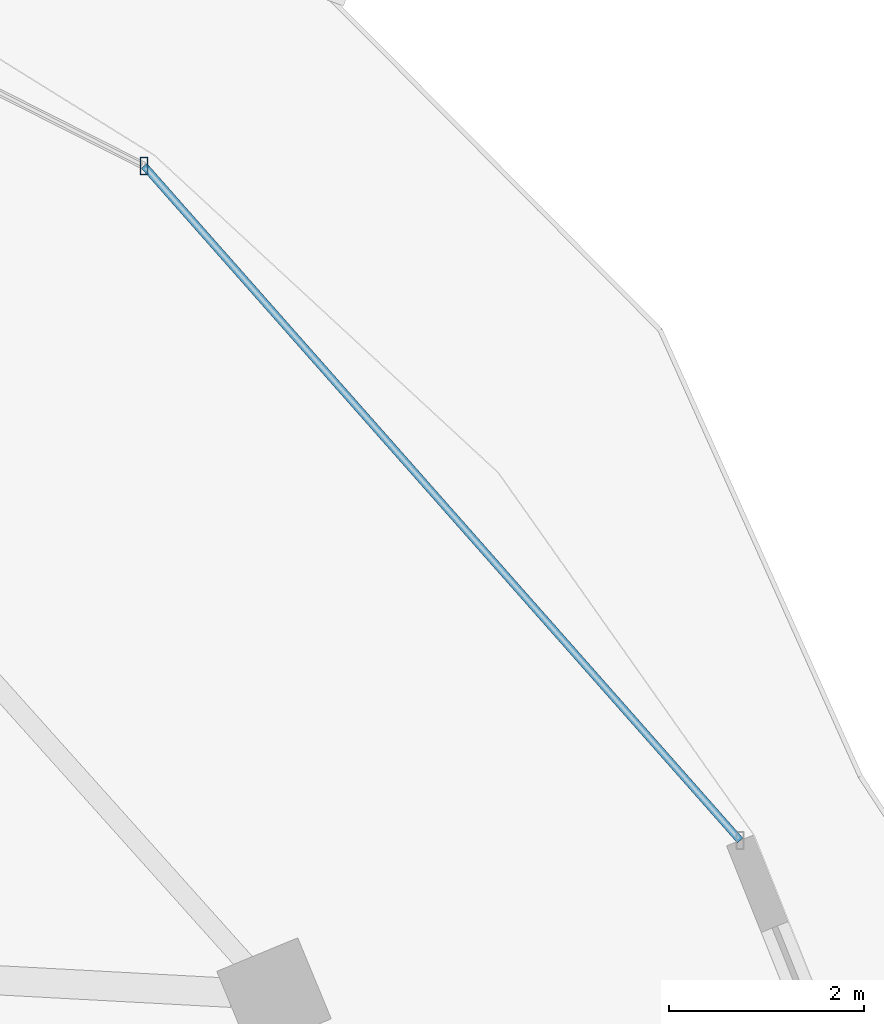
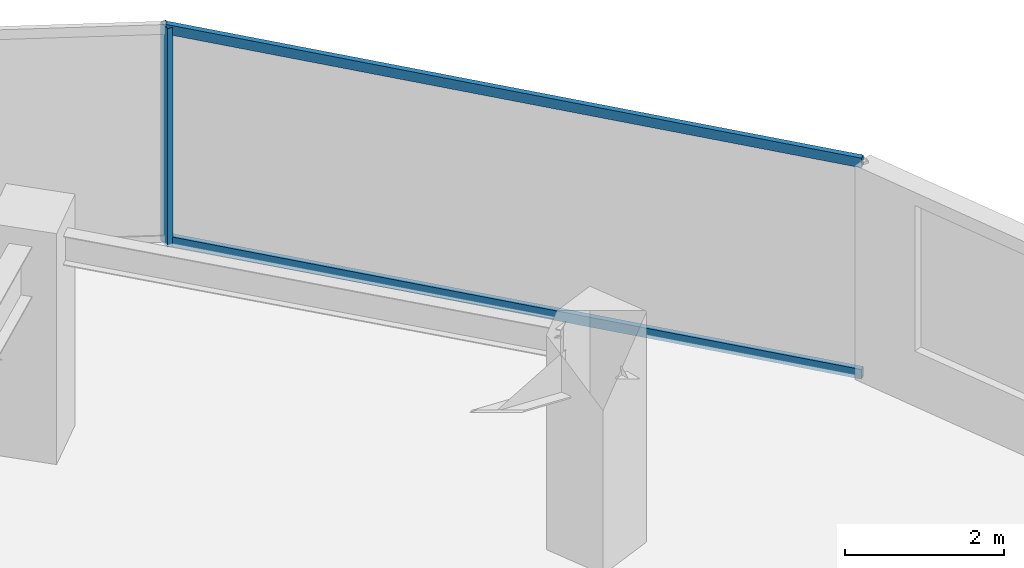
# One storey, part 22 of 33: 3 members, 1 element without a shape of its own.
"""IFC4 building model written with IfcOpenShell, lengths in metres."""

from ifc_helpers import new_model, si_unit, direction, frame, origin, origin_2d, place, context, subcontext, project, spatial, hollow_rectangle, extrude, material, material_profile, profile_set, type_object, element, aggregate, save


model = new_model("IFC4")

# Units and contexts
model_context = context("Model", 3, precision=1e-05, world=origin(), true_north=direction((0.0, 1.0)))
body_context = subcontext(model_context, "Body", "Model", "MODEL_VIEW")
ifc_project = project(units=[si_unit("LENGTHUNIT", "METRE"), si_unit("AREAUNIT", "SQUARE_METRE"), si_unit("VOLUMEUNIT", "CUBIC_METRE"), si_unit("PLANEANGLEUNIT", "RADIAN"), si_unit("MASSUNIT", "GRAM", prefix="KILO")], contexts=[model_context])

# Site, building, storey
site_placement = place(None, origin())
site = spatial("IfcSite", under=ifc_project, at=site_placement, CompositionType="ELEMENT")
building_placement = place(site_placement, origin())
building = spatial("IfcBuilding", under=site, at=building_placement, Name="Vorneva Point Tower", CompositionType="ELEMENT")
storey_placement = place(building_placement, frame((0.0, 0.0, 203.64990234375)))
storey = spatial("IfcBuildingStorey", under=building, at=storey_placement, Name="L55", CompositionType="ELEMENT", Elevation=203.64990234375)

# Curtain wall, members
ifc_material = material(Name="Pale anodised aluminium", Category="aluminium")
curtain_wall_type = type_object("IfcCurtainWallType", Name="CW-RES-SYS", PredefinedType="NOTDEFINED", material=ifc_material)
curtain_wall_placement = place(storey_placement, origin())
curtain_wall = element("IfcCurtainWall", 1, at=curtain_wall_placement, inside=storey, type_object=curtain_wall_type, Name="L55 Unitised Curtain Wall CW-L55-R01", PredefinedType="NOTDEFINED")
ifc_material_profile_1 = material_profile(ifc_material, hollow_rectangle(XDim=0.074951171875, YDim=0.179931640625, WallThickness=0.00390625, at=origin_2d()), Name="AL-MUL 180x75x4")
ifc_profile_set_1 = profile_set([ifc_material_profile_1], Name="Pale anodised aluminium")
member_type_1 = type_object("IfcMemberType", Name="CW-MUL-180", PredefinedType="MULLION", material=ifc_profile_set_1)
member_1_placement = place(storey_placement, frame((57.961669921875, 41.0966796875, -0.039794921875), z_axis=(0.0, 0.0, 1.0), x_axis=(1.0, 0.0, 0.0)))
member_1 = element("IfcMember", 2, at=member_1_placement, type_object=member_type_1, Name="CW-L55-R01 Mullion 02", PredefinedType="MULLION", context=body_context, shape_type="SweptSolid", body=[
    extrude(hollow_rectangle(XDim=0.074951171875, YDim=0.179931640625, WallThickness=0.00390625, at=origin_2d()), origin(), (0.0, 0.0, 1.0), 3.35986328125),
])
ifc_material_profile_2 = material_profile(ifc_material, hollow_rectangle(XDim=0.074951171875, YDim=0.14990234375, WallThickness=0.00390625, at=origin_2d()), Name="AL-TRN 150x75x4")
ifc_profile_set_2 = profile_set([ifc_material_profile_2], Name="Pale anodised aluminium")
member_type_2 = type_object("IfcMemberType", Name="CW-TRN-150", PredefinedType="USERDEFINED", material=ifc_profile_set_2)
member_2_placement = place(storey_placement, frame((64.0810546875, 34.17041015625, 0.02001953125), z_axis=(-0.662106383869, 0.749409858782, 0.0), x_axis=(-0.749409858782, -0.662106383869, 0.0)))
member_2 = element("IfcMember", 3, at=member_2_placement, type_object=member_type_2, Name="CW-L55-R01 Transom 01.1", ObjectType="TRANSOM", PredefinedType="USERDEFINED", context=body_context, shape_type="SweptSolid", body=[
    extrude(hollow_rectangle(XDim=0.074951171875, YDim=0.14990234375, WallThickness=0.00390625, at=origin_2d()), origin(), (0.0, 0.0, 1.0), 9.2421875),
])
member_3_placement = place(storey_placement, frame((64.0810546875, 34.17041015625, 3.27001953125), z_axis=(-0.662106383869, 0.749409858782, 0.0), x_axis=(-0.749409858782, -0.662106383869, 0.0)))
member_3 = element("IfcMember", 4, at=member_3_placement, type_object=member_type_2, Name="CW-L55-R01 Transom 01.2", ObjectType="TRANSOM", PredefinedType="USERDEFINED", context=body_context, shape_type="SweptSolid", body=[
    extrude(hollow_rectangle(XDim=0.074951171875, YDim=0.14990234375, WallThickness=0.00390625, at=origin_2d()), origin(), (0.0, 0.0, 1.0), 9.2421875),
])
aggregate(curtain_wall, [member_1, member_2, member_3])

save(model, "model.ifc")
